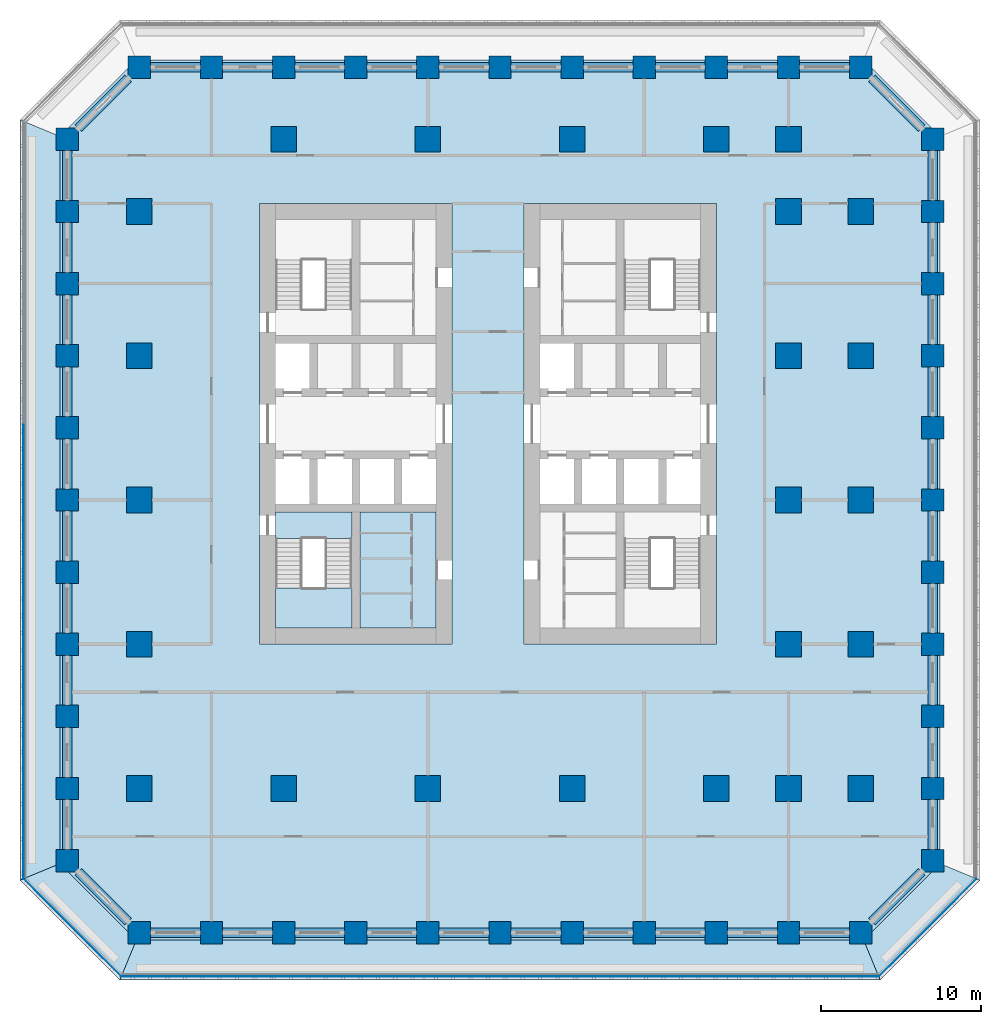
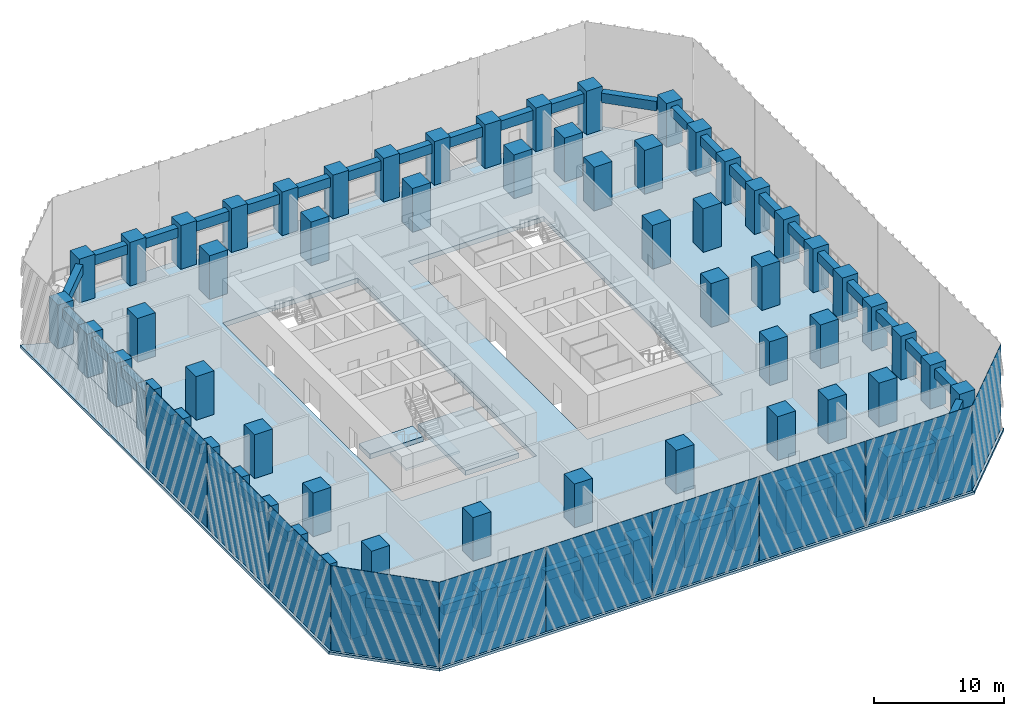
# One storey, part 1 of 14: 68 columns, 44 beams, 10 plates, 8 slabs, 1 element without a shape of its own.
"""IFC4 building model written with IfcOpenShell, lengths in metres."""

from ifc_helpers import new_model, si_unit, direction, frame, origin, origin_2d, place, context, subcontext, project, spatial, polyline, rectangle, outline, extrude, material, layer, layer_set, material_profile, profile_set, type_object, element, aggregate, save


model = new_model("IFC4")

# Units and contexts
model_context = context("Model", 3, precision=1e-05, world=origin(), true_north=direction((0.0, 1.0)))
body_context = subcontext(model_context, "Body", "Model", "MODEL_VIEW")
ifc_project = project(units=[si_unit("LENGTHUNIT", "METRE"), si_unit("AREAUNIT", "SQUARE_METRE"), si_unit("VOLUMEUNIT", "CUBIC_METRE"), si_unit("PLANEANGLEUNIT", "RADIAN"), si_unit("MASSUNIT", "GRAM", prefix="KILO")], contexts=[model_context])

# Site, building, storey
site_placement = place(None, origin())
site = spatial("IfcSite", under=ifc_project, at=site_placement, CompositionType="ELEMENT")
building_placement = place(site_placement, origin())
building = spatial("IfcBuilding", under=site, at=building_placement, Name="Corbel Stack Research Tower", CompositionType="ELEMENT")
storey_placement = place(building_placement, frame((0.0, 0.0, 50.10009765625)))
storey = spatial("IfcBuildingStorey", under=building, at=storey_placement, Name="L11", CompositionType="ELEMENT", Elevation=50.10009765625)

# Columns
ifc_material_1 = material(Name="Concrete C70/85", Category="concrete")
ifc_material_profile_1 = material_profile(ifc_material_1, rectangle(XDim=1.39990234375, YDim=1.39990234375, at=origin_2d()), Name="RC 1400 x 1400")
ifc_profile_set_1 = profile_set([ifc_material_profile_1], Name="Concrete C70/85")
column_type_1 = type_object("IfcColumnType", Name="C-1400-70", PredefinedType="COLUMN", material=ifc_profile_set_1)
for number, where, z_axis, x_axis, name in (
    (1, (-22.5, -22.5, 0.0), (0.0, 0.0, 1.0), (1.0, 0.0, 0.0), "Column 3/C L11"),
    (2, (-22.5, -18.0, 0.0), (0.0, 0.0, 1.0), (1.0, 0.0, 0.0), "Column 3/D L11"),
    (3, (-22.5, -13.5, 0.0), (0.0, 0.0, 1.0), (1.0, 0.0, 0.0), "Column 3/E L11"),
    (4, (-22.5, -9.0, 0.0), (0.0, 0.0, 1.0), (1.0, 0.0, 0.0), "Column 3/F L11"),
    (5, (-22.5, -4.5, 0.0), (0.0, 0.0, 1.0), (1.0, 0.0, 0.0), "Column 3/G L11"),
    (6, (-22.5, 0.0, 0.0), (0.0, 0.0, 1.0), (1.0, 0.0, 0.0), "Column 3/H L11"),
    (7, (-22.5, 4.5, 0.0), (0.0, 0.0, 1.0), (1.0, 0.0, 0.0), "Column 3/J L11"),
    (8, (-22.5, 9.0, 0.0), (0.0, 0.0, 1.0), (1.0, 0.0, 0.0), "Column 3/K L11"),
    (9, (-22.5, 13.5, 0.0), (0.0, 0.0, 1.0), (1.0, 0.0, 0.0), "Column 3/L L11"),
    (10, (-22.5, 18.0, 0.0), (0.0, 0.0, 1.0), (1.0, 0.0, 0.0), "Column 3/M L11"),
    (11, (-22.5, 22.5, 0.0), (0.0, 0.0, 1.0), (1.0, 0.0, 0.0), "Column 3/N L11"),
    (12, (-18.0, -27.0, 0.0), (0.0, 0.0, 1.0), (1.0, 0.0, 0.0), "Column 4/B L11"),
    (13, (-18.0, 27.0, 0.0), (0.0, 0.0, 1.0), (1.0, 0.0, 0.0), "Column 4/P L11"),
    (14, (-13.5, -27.0, 0.0), (0.0, 0.0, 1.0), (1.0, 0.0, 0.0), "Column 5/B L11"),
    (15, (-13.5, 27.0, 0.0), (0.0, 0.0, 1.0), (1.0, 0.0, 0.0), "Column 5/P L11"),
    (16, (-9.0, -27.0, 0.0), (0.0, 0.0, 1.0), (1.0, 0.0, 0.0), "Column 6/B L11"),
    (17, (-9.0, 27.0, 0.0), (0.0, 0.0, 1.0), (1.0, 0.0, 0.0), "Column 6/P L11"),
    (18, (-4.5, -27.0, 0.0), (0.0, 0.0, 1.0), (1.0, 0.0, 0.0), "Column 7/B L11"),
    (19, (-4.5, 27.0, 0.0), (0.0, 0.0, 1.0), (1.0, 0.0, 0.0), "Column 7/P L11"),
    (20, (0.0, -27.0, 0.0), (0.0, 0.0, 1.0), (1.0, 0.0, 0.0), "Column 8/B L11"),
    (21, (0.0, 27.0, 0.0), (0.0, 0.0, 1.0), (1.0, 0.0, 0.0), "Column 8/P L11"),
    (22, (4.5, -27.0, 0.0), (0.0, 0.0, 1.0), (1.0, 0.0, 0.0), "Column 9/B L11"),
    (23, (4.5, 27.0, 0.0), (0.0, 0.0, 1.0), (1.0, 0.0, 0.0), "Column 9/P L11"),
    (24, (9.0, -27.0, 0.0), (0.0, 0.0, 1.0), (1.0, 0.0, 0.0), "Column 10/B L11"),
    (25, (9.0, 27.0, 0.0), (0.0, 0.0, 1.0), (1.0, 0.0, 0.0), "Column 10/P L11"),
    (26, (13.5, -27.0, 0.0), (0.0, 0.0, 1.0), (1.0, 0.0, 0.0), "Column 11/B L11"),
    (27, (13.5, 27.0, 0.0), (0.0, 0.0, 1.0), (1.0, 0.0, 0.0), "Column 11/P L11"),
    (28, (18.0, -27.0, 0.0), (0.0, 0.0, 1.0), (1.0, 0.0, 0.0), "Column 12/B L11"),
    (29, (18.0, 27.0, 0.0), (0.0, 0.0, 1.0), (1.0, 0.0, 0.0), "Column 12/P L11"),
    (30, (22.5, -27.0, 0.0), (0.0, 0.0, 1.0), (1.0, 0.0, 0.0), "Column 13/B L11"),
    (31, (22.5, 27.0, 0.0), (0.0, 0.0, 1.0), (1.0, 0.0, 0.0), "Column 13/P L11"),
    (32, (27.0, -27.0, 0.0), (0.0, 0.0, 1.0), (1.0, 0.0, 0.0), "Column 14/B L11"),
    (33, (27.0, 27.0, 0.0), (0.0, 0.0, 1.0), (1.0, 0.0, 0.0), "Column 14/P L11"),
    (34, (31.5, -22.5, 0.0), (0.0, 0.0, 1.0), (1.0, 0.0, 0.0), "Column 15/C L11"),
    (35, (31.5, -18.0, 0.0), (0.0, 0.0, 1.0), (1.0, 0.0, 0.0), "Column 15/D L11"),
    (36, (31.5, -13.5, 0.0), (0.0, 0.0, 1.0), (1.0, 0.0, 0.0), "Column 15/E L11"),
    (37, (31.5, -9.0, 0.0), (0.0, 0.0, 1.0), (1.0, 0.0, 0.0), "Column 15/F L11"),
    (38, (31.5, -4.5, 0.0), (0.0, 0.0, 1.0), (1.0, 0.0, 0.0), "Column 15/G L11"),
    (39, (31.5, 0.0, 0.0), (0.0, 0.0, 1.0), (1.0, 0.0, 0.0), "Column 15/H L11"),
    (40, (31.5, 4.5, 0.0), (0.0, 0.0, 1.0), (1.0, 0.0, 0.0), "Column 15/J L11"),
    (41, (31.5, 9.0, 0.0), (0.0, 0.0, 1.0), (1.0, 0.0, 0.0), "Column 15/K L11"),
    (42, (31.5, 13.5, 0.0), (0.0, 0.0, 1.0), (1.0, 0.0, 0.0), "Column 15/L L11"),
    (43, (31.5, 18.0, 0.0), (0.0, 0.0, 1.0), (1.0, 0.0, 0.0), "Column 15/M L11"),
    (44, (31.5, 22.5, 0.0), (0.0, 0.0, 1.0), (1.0, 0.0, 0.0), "Column 15/N L11"),
):
    element("IfcColumn", number, at=place(storey_placement, frame(where, z_axis=z_axis, x_axis=x_axis)), inside=storey, type_object=column_type_1, Name=name, PredefinedType="COLUMN", context=body_context, shape_type="SweptSolid", body=[
        extrude(rectangle(XDim=1.39990234375, YDim=1.39990234375, at=origin_2d()), origin(), (0.0, 0.0, 1.0), 4.099853515625),
    ])
ifc_material_2 = material(Name="Concrete C70/85", Category="concrete")
ifc_material_profile_2 = material_profile(ifc_material_2, rectangle(XDim=1.60009765625, YDim=1.60009765625, at=origin_2d()), Name="RC 1600 x 1600")
ifc_profile_set_2 = profile_set([ifc_material_profile_2], Name="Concrete C70/85")
column_type_2 = type_object("IfcColumnType", Name="C-1600-70", PredefinedType="COLUMN", material=ifc_profile_set_2)
for number, where, z_axis, x_axis, name in (
    (45, (-18.0, -18.0, 0.0), (0.0, 0.0, 1.0), (1.0, 0.0, 0.0), "Column 4/D L11"),
    (46, (-18.0, -9.0, 0.0), (0.0, 0.0, 1.0), (1.0, 0.0, 0.0), "Column 4/F L11"),
    (47, (-18.0, 0.0, 0.0), (0.0, 0.0, 1.0), (1.0, 0.0, 0.0), "Column 4/H L11"),
    (48, (-18.0, 9.0, 0.0), (0.0, 0.0, 1.0), (1.0, 0.0, 0.0), "Column 4/K L11"),
    (49, (-18.0, 18.0, 0.0), (0.0, 0.0, 1.0), (1.0, 0.0, 0.0), "Column 4/M L11"),
    (50, (-9.0, -18.0, 0.0), (0.0, 0.0, 1.0), (1.0, 0.0, 0.0), "Column 6/D L11"),
    (51, (-9.0, 22.5, 0.0), (0.0, 0.0, 1.0), (1.0, 0.0, 0.0), "Column 6/N L11"),
    (52, (0.0, -18.0, 0.0), (0.0, 0.0, 1.0), (1.0, 0.0, 0.0), "Column 8/D L11"),
    (53, (0.0, 22.5, 0.0), (0.0, 0.0, 1.0), (1.0, 0.0, 0.0), "Column 8/N L11"),
    (54, (9.0, -18.0, 0.0), (0.0, 0.0, 1.0), (1.0, 0.0, 0.0), "Column 10/D L11"),
    (55, (9.0, 22.5, 0.0), (0.0, 0.0, 1.0), (1.0, 0.0, 0.0), "Column 10/N L11"),
    (56, (18.0, -18.0, 0.0), (0.0, 0.0, 1.0), (1.0, 0.0, 0.0), "Column 12/D L11"),
    (57, (18.0, 22.5, 0.0), (0.0, 0.0, 1.0), (1.0, 0.0, 0.0), "Column 12/N L11"),
    (58, (22.5, -18.0, 0.0), (0.0, 0.0, 1.0), (1.0, 0.0, 0.0), "Column 13/D L11"),
    (59, (22.5, -9.0, 0.0), (0.0, 0.0, 1.0), (1.0, 0.0, 0.0), "Column 13/F L11"),
    (60, (22.5, 0.0, 0.0), (0.0, 0.0, 1.0), (1.0, 0.0, 0.0), "Column 13/H L11"),
    (61, (22.5, 9.0, 0.0), (0.0, 0.0, 1.0), (1.0, 0.0, 0.0), "Column 13/K L11"),
    (62, (22.5, 18.0, 0.0), (0.0, 0.0, 1.0), (1.0, 0.0, 0.0), "Column 13/M L11"),
    (63, (22.5, 22.5, 0.0), (0.0, 0.0, 1.0), (1.0, 0.0, 0.0), "Column 13/N L11"),
    (64, (27.0, -18.0, 0.0), (0.0, 0.0, 1.0), (1.0, 0.0, 0.0), "Column 14/D L11"),
    (65, (27.0, -9.0, 0.0), (0.0, 0.0, 1.0), (1.0, 0.0, 0.0), "Column 14/F L11"),
    (66, (27.0, 0.0, 0.0), (0.0, 0.0, 1.0), (1.0, 0.0, 0.0), "Column 14/H L11"),
    (67, (27.0, 9.0, 0.0), (0.0, 0.0, 1.0), (1.0, 0.0, 0.0), "Column 14/K L11"),
    (68, (27.0, 18.0, 0.0), (0.0, 0.0, 1.0), (1.0, 0.0, 0.0), "Column 14/M L11"),
):
    element("IfcColumn", number, at=place(storey_placement, frame(where, z_axis=z_axis, x_axis=x_axis)), inside=storey, type_object=column_type_2, Name=name, PredefinedType="COLUMN", context=body_context, shape_type="SweptSolid", body=[
        extrude(rectangle(XDim=1.60009765625, YDim=1.60009765625, at=origin_2d()), origin(), (0.0, 0.0, 1.0), 4.099853515625),
    ])

# Beams
ifc_material_3 = material(Name="Concrete C60/75", Category="concrete")
ifc_material_profile_3 = material_profile(ifc_material_3, rectangle(XDim=0.60009765625, YDim=0.89990234375, at=origin_2d()), Name="RC 600 x 900")
ifc_profile_set_3 = profile_set([ifc_material_profile_3], Name="Concrete C60/75")
beam_type = type_object("IfcBeamType", Name="SB-600-900-450", PredefinedType="SPANDREL", material=ifc_profile_set_3)
for number, where, z_axis, x_axis, name in (
    (69, (-17.300048828125, -27.0, 3.199951171875), (1.0, 0.0, 0.0), (0.0, 1.0, 0.0), "Spandrel beam L11-01"),
    (70, (-12.800048828125, -27.0, 3.199951171875), (1.0, 0.0, 0.0), (0.0, 1.0, 0.0), "Spandrel beam L11-02"),
    (71, (-8.300048828125, -27.0, 3.199951171875), (1.0, 0.0, 0.0), (0.0, 1.0, 0.0), "Spandrel beam L11-03"),
    (72, (-3.800048828125, -27.0, 3.199951171875), (1.0, 0.0, 0.0), (0.0, 1.0, 0.0), "Spandrel beam L11-04"),
    (73, (0.699951171875, -27.0, 3.199951171875), (1.0, 0.0, 0.0), (0.0, 1.0, 0.0), "Spandrel beam L11-05"),
    (74, (5.199951171875, -27.0, 3.199951171875), (1.0, 0.0, 0.0), (0.0, 1.0, 0.0), "Spandrel beam L11-06"),
    (75, (9.699951171875, -27.0, 3.199951171875), (1.0, 0.0, 0.0), (0.0, 1.0, 0.0), "Spandrel beam L11-07"),
    (76, (14.199951171875, -27.0, 3.199951171875), (1.0, 0.0, 0.0), (0.0, 1.0, 0.0), "Spandrel beam L11-08"),
    (77, (18.699951171875, -27.0, 3.199951171875), (1.0, 0.0, 0.0), (0.0, 1.0, 0.0), "Spandrel beam L11-09"),
    (78, (23.199951171875, -27.0, 3.199951171875), (1.0, 0.0, 0.0), (0.0, 1.0, 0.0), "Spandrel beam L11-10"),
):
    element("IfcBeam", number, at=place(storey_placement, frame(where, z_axis=z_axis, x_axis=x_axis)), inside=storey, type_object=beam_type, Name=name, PredefinedType="SPANDREL", context=body_context, shape_type="SweptSolid", body=[
        extrude(rectangle(XDim=0.60009765625, YDim=0.89990234375, at=origin_2d()), origin(), (0.0, 0.0, 1.0), 3.10009765625),
    ])
beam_1_placement = place(storey_placement, frame((27.699951171875, -26.300048828125, 3.199951171875), z_axis=(0.707106781187, 0.707106781187, 0.0), x_axis=(-0.707106781187, 0.707106781187, 0.0)))
element("IfcBeam", 79, at=beam_1_placement, inside=storey, type_object=beam_type, Name="Spandrel beam L11-11", PredefinedType="SPANDREL", context=body_context, shape_type="SweptSolid", body=[
    extrude(rectangle(XDim=0.60009765625, YDim=0.89990234375, at=origin_2d()), origin(), (0.0, 0.0, 1.0), 4.38427734375),
])
for number, where, z_axis, x_axis, name in (
    (80, (31.5, -21.800048828125, 3.199951171875), (0.0, 1.0, 0.0), (-1.0, 0.0, 0.0), "Spandrel beam L11-12"),
    (81, (31.5, -17.300048828125, 3.199951171875), (0.0, 1.0, 0.0), (-1.0, 0.0, 0.0), "Spandrel beam L11-13"),
    (82, (31.5, -12.800048828125, 3.199951171875), (0.0, 1.0, 0.0), (-1.0, 0.0, 0.0), "Spandrel beam L11-14"),
    (83, (31.5, -8.300048828125, 3.199951171875), (0.0, 1.0, 0.0), (-1.0, 0.0, 0.0), "Spandrel beam L11-15"),
    (84, (31.5, -3.800048828125, 3.199951171875), (0.0, 1.0, 0.0), (-1.0, 0.0, 0.0), "Spandrel beam L11-16"),
    (85, (31.5, 0.699951171875, 3.199951171875), (0.0, 1.0, 0.0), (-1.0, 0.0, 0.0), "Spandrel beam L11-17"),
    (86, (31.5, 5.199951171875, 3.199951171875), (0.0, 1.0, 0.0), (-1.0, 0.0, 0.0), "Spandrel beam L11-18"),
    (87, (31.5, 9.699951171875, 3.199951171875), (0.0, 1.0, 0.0), (-1.0, 0.0, 0.0), "Spandrel beam L11-19"),
    (88, (31.5, 14.199951171875, 3.199951171875), (0.0, 1.0, 0.0), (-1.0, 0.0, 0.0), "Spandrel beam L11-20"),
    (89, (31.5, 18.699951171875, 3.199951171875), (0.0, 1.0, 0.0), (-1.0, 0.0, 0.0), "Spandrel beam L11-21"),
):
    element("IfcBeam", number, at=place(storey_placement, frame(where, z_axis=z_axis, x_axis=x_axis)), inside=storey, type_object=beam_type, Name=name, PredefinedType="SPANDREL", context=body_context, shape_type="SweptSolid", body=[
        extrude(rectangle(XDim=0.60009765625, YDim=0.89990234375, at=origin_2d()), origin(), (0.0, 0.0, 1.0), 3.10009765625),
    ])
beam_2_placement = place(storey_placement, frame((30.800048828125, 23.199951171875, 3.199951171875), z_axis=(-0.707106781187, 0.707106781187, 0.0), x_axis=(-0.707106781187, -0.707106781187, 0.0)))
element("IfcBeam", 90, at=beam_2_placement, inside=storey, type_object=beam_type, Name="Spandrel beam L11-22", PredefinedType="SPANDREL", context=body_context, shape_type="SweptSolid", body=[
    extrude(rectangle(XDim=0.60009765625, YDim=0.89990234375, at=origin_2d()), origin(), (0.0, 0.0, 1.0), 4.38427734375),
])
for number, where, z_axis, x_axis, name in (
    (91, (26.300048828125, 27.0, 3.199951171875), (-1.0, 0.0, 0.0), (0.0, -1.0, 0.0), "Spandrel beam L11-23"),
    (92, (21.800048828125, 27.0, 3.199951171875), (-1.0, 0.0, 0.0), (0.0, -1.0, 0.0), "Spandrel beam L11-24"),
    (93, (17.300048828125, 27.0, 3.199951171875), (-1.0, 0.0, 0.0), (0.0, -1.0, 0.0), "Spandrel beam L11-25"),
    (94, (12.800048828125, 27.0, 3.199951171875), (-1.0, 0.0, 0.0), (0.0, -1.0, 0.0), "Spandrel beam L11-26"),
    (95, (8.300048828125, 27.0, 3.199951171875), (-1.0, 0.0, 0.0), (0.0, -1.0, 0.0), "Spandrel beam L11-27"),
    (96, (3.800048828125, 27.0, 3.199951171875), (-1.0, 0.0, 0.0), (0.0, -1.0, 0.0), "Spandrel beam L11-28"),
    (97, (-0.699951171875, 27.0, 3.199951171875), (-1.0, 0.0, 0.0), (0.0, -1.0, 0.0), "Spandrel beam L11-29"),
    (98, (-5.199951171875, 27.0, 3.199951171875), (-1.0, 0.0, 0.0), (0.0, -1.0, 0.0), "Spandrel beam L11-30"),
    (99, (-9.699951171875, 27.0, 3.199951171875), (-1.0, 0.0, 0.0), (0.0, -1.0, 0.0), "Spandrel beam L11-31"),
    (100, (-14.199951171875, 27.0, 3.199951171875), (-1.0, 0.0, 0.0), (0.0, -1.0, 0.0), "Spandrel beam L11-32"),
):
    element("IfcBeam", number, at=place(storey_placement, frame(where, z_axis=z_axis, x_axis=x_axis)), inside=storey, type_object=beam_type, Name=name, PredefinedType="SPANDREL", context=body_context, shape_type="SweptSolid", body=[
        extrude(rectangle(XDim=0.60009765625, YDim=0.89990234375, at=origin_2d()), origin(), (0.0, 0.0, 1.0), 3.10009765625),
    ])
beam_3_placement = place(storey_placement, frame((-18.699951171875, 26.300048828125, 3.199951171875), z_axis=(-0.707106781187, -0.707106781187, 0.0), x_axis=(0.707106781187, -0.707106781187, 0.0)))
element("IfcBeam", 101, at=beam_3_placement, inside=storey, type_object=beam_type, Name="Spandrel beam L11-33", PredefinedType="SPANDREL", context=body_context, shape_type="SweptSolid", body=[
    extrude(rectangle(XDim=0.60009765625, YDim=0.89990234375, at=origin_2d()), origin(), (0.0, 0.0, 1.0), 4.38427734375),
])
for number, where, z_axis, x_axis, name in (
    (102, (-22.5, 21.800048828125, 3.199951171875), (0.0, -1.0, 0.0), (1.0, 0.0, 0.0), "Spandrel beam L11-34"),
    (103, (-22.5, 17.300048828125, 3.199951171875), (0.0, -1.0, 0.0), (1.0, 0.0, 0.0), "Spandrel beam L11-35"),
    (104, (-22.5, 12.800048828125, 3.199951171875), (0.0, -1.0, 0.0), (1.0, 0.0, 0.0), "Spandrel beam L11-36"),
    (105, (-22.5, 8.300048828125, 3.199951171875), (0.0, -1.0, 0.0), (1.0, 0.0, 0.0), "Spandrel beam L11-37"),
    (106, (-22.5, 3.800048828125, 3.199951171875), (0.0, -1.0, 0.0), (1.0, 0.0, 0.0), "Spandrel beam L11-38"),
    (107, (-22.5, -0.699951171875, 3.199951171875), (0.0, -1.0, 0.0), (1.0, 0.0, 0.0), "Spandrel beam L11-39"),
    (108, (-22.5, -5.199951171875, 3.199951171875), (0.0, -1.0, 0.0), (1.0, 0.0, 0.0), "Spandrel beam L11-40"),
    (109, (-22.5, -9.699951171875, 3.199951171875), (0.0, -1.0, 0.0), (1.0, 0.0, 0.0), "Spandrel beam L11-41"),
    (110, (-22.5, -14.199951171875, 3.199951171875), (0.0, -1.0, 0.0), (1.0, 0.0, 0.0), "Spandrel beam L11-42"),
    (111, (-22.5, -18.699951171875, 3.199951171875), (0.0, -1.0, 0.0), (1.0, 0.0, 0.0), "Spandrel beam L11-43"),
):
    element("IfcBeam", number, at=place(storey_placement, frame(where, z_axis=z_axis, x_axis=x_axis)), inside=storey, type_object=beam_type, Name=name, PredefinedType="SPANDREL", context=body_context, shape_type="SweptSolid", body=[
        extrude(rectangle(XDim=0.60009765625, YDim=0.89990234375, at=origin_2d()), origin(), (0.0, 0.0, 1.0), 3.10009765625),
    ])
beam_4_placement = place(storey_placement, frame((-21.800048828125, -23.199951171875, 3.199951171875), z_axis=(0.707106781187, -0.707106781187, 0.0), x_axis=(0.707106781187, 0.707106781187, 0.0)))
element("IfcBeam", 112, at=beam_4_placement, inside=storey, type_object=beam_type, Name="Spandrel beam L11-44", PredefinedType="SPANDREL", context=body_context, shape_type="SweptSolid", body=[
    extrude(rectangle(XDim=0.60009765625, YDim=0.89990234375, at=origin_2d()), origin(), (0.0, 0.0, 1.0), 4.38427734375),
])

# Plates
ifc_material_4 = material(Name="Fritted glass", Category="glass")
ifc_layer_1 = layer(ifc_material_4, 0.02490234375)
ifc_layer_set_1 = layer_set([ifc_layer_1], Name="Fritted glass")
plate_type = type_object("IfcPlateType", Name="Fritted glass panel 25", PredefinedType="SHEET", material=ifc_layer_set_1)
for number, where, z_axis, x_axis, name in (
    (113, (-14.411376953125, -29.737548828125, 0.0), (0.0, 0.0, 1.0), (1.0, 0.0, 0.0), "Fritted glass L11 S1"),
    (114, (-4.95556640625, -29.737548828125, 0.0), (0.0, 0.0, 1.0), (1.0, 0.0, 0.0), "Fritted glass L11 S2"),
    (115, (4.5, -29.737548828125, 0.0), (0.0, 0.0, 1.0), (1.0, 0.0, 0.0), "Fritted glass L11 S3"),
    (116, (13.95556640625, -29.737548828125, 0.0), (0.0, 0.0, 1.0), (1.0, 0.0, 0.0), "Fritted glass L11 S4"),
    (117, (23.411376953125, -29.737548828125, 0.0), (0.0, 0.0, 1.0), (1.0, 0.0, 0.0), "Fritted glass L11 S5"),
):
    element("IfcPlate", number, at=place(storey_placement, frame(where, z_axis=z_axis, x_axis=x_axis)), inside=storey, type_object=plate_type, Name=name, PredefinedType="SHEET", context=body_context, shape_type="SweptSolid", body=[
        extrude(rectangle(XDim=9.3955078125, YDim=0.02490234375, at=origin_2d()), origin(), (0.0, 0.0, 1.0), 7.949951171875),
    ])
plate_1_placement = place(storey_placement, frame((31.185791015625, -26.685791015625, 0.0), z_axis=(0.0, 0.0, 1.0), x_axis=(0.707106781187, 0.707106781187, 0.0)))
element("IfcPlate", 118, at=plate_1_placement, inside=storey, type_object=plate_type, Name="Fritted glass L11 SE1", PredefinedType="SHEET", context=body_context, shape_type="SweptSolid", body=[
    extrude(rectangle(XDim=8.58203125, YDim=0.02490234375, at=origin_2d()), origin(), (0.0, 0.0, 1.0), 7.949951171875),
])
for number, where, z_axis, x_axis, name in (
    (119, (-25.237548828125, 0.0, 0.0), (0.0, 0.0, 1.0), (0.0, -1.0, 0.0), "Fritted glass L11 W3"),
    (120, (-25.237548828125, -9.45556640625, 0.0), (0.0, 0.0, 1.0), (0.0, -1.0, 0.0), "Fritted glass L11 W4"),
    (121, (-25.237548828125, -18.911376953125, 0.0), (0.0, 0.0, 1.0), (0.0, -1.0, 0.0), "Fritted glass L11 W5"),
):
    element("IfcPlate", number, at=place(storey_placement, frame(where, z_axis=z_axis, x_axis=x_axis)), inside=storey, type_object=plate_type, Name=name, PredefinedType="SHEET", context=body_context, shape_type="SweptSolid", body=[
        extrude(rectangle(XDim=9.3955078125, YDim=0.02490234375, at=origin_2d()), origin(), (0.0, 0.0, 1.0), 7.949951171875),
    ])
plate_2_placement = place(storey_placement, frame((-22.185791015625, -26.685791015625, 0.0), z_axis=(0.0, 0.0, 1.0), x_axis=(0.707106781187, -0.707106781187, 0.0)))
element("IfcPlate", 122, at=plate_2_placement, inside=storey, type_object=plate_type, Name="Fritted glass L11 SW1", PredefinedType="SHEET", context=body_context, shape_type="SweptSolid", body=[
    extrude(rectangle(XDim=8.58203125, YDim=0.02490234375, at=origin_2d()), origin(), (0.0, 0.0, 1.0), 7.949951171875),
])

# Slabs
ifc_material_5 = material(Name="Concrete C45/55", Category="concrete")
ifc_layer_2 = layer(ifc_material_5, 0.25)
ifc_layer_set_2 = layer_set([ifc_layer_2], Name="Concrete C45/55")
slab_type_1 = type_object("IfcSlabType", Name="PT balcony slab 250 C45/55", PredefinedType="FLOOR", material=ifc_layer_set_2)
slab_1_placement = place(storey_placement, frame((0.0, 0.0, -0.25)))
element("IfcSlab", 123, at=slab_1_placement, inside=storey, type_object=slab_type_1, Name="Loggia slab L11 S", PredefinedType="FLOOR", context=body_context, shape_type="SweptSolid", body=[
    extrude(outline(polyline([(27.289794921875, -27.699951171875), (26.300048828125, -27.699951171875), (26.300048828125, -27.449951171875), (23.199951171875, -27.449951171875), (23.199951171875, -27.699951171875), (21.800048828125, -27.699951171875), (21.800048828125, -27.449951171875), (18.699951171875, -27.449951171875), (18.699951171875, -27.699951171875), (17.300048828125, -27.699951171875), (17.300048828125, -27.449951171875), (14.199951171875, -27.449951171875), (14.199951171875, -27.699951171875), (12.800048828125, -27.699951171875), (12.800048828125, -27.449951171875), (9.699951171875, -27.449951171875), (9.699951171875, -27.699951171875), (8.300048828125, -27.699951171875), (8.300048828125, -27.449951171875), (5.199951171875, -27.449951171875), (5.199951171875, -27.699951171875), (3.800048828125, -27.699951171875), (3.800048828125, -27.449951171875), (0.699951171875, -27.449951171875), (0.699951171875, -27.699951171875), (-0.699951171875, -27.699951171875), (-0.699951171875, -27.449951171875), (-3.800048828125, -27.449951171875), (-3.800048828125, -27.699951171875), (-5.199951171875, -27.699951171875), (-5.199951171875, -27.449951171875), (-8.300048828125, -27.449951171875), (-8.300048828125, -27.699951171875), (-9.699951171875, -27.699951171875), (-9.699951171875, -27.449951171875), (-12.800048828125, -27.449951171875), (-12.800048828125, -27.699951171875), (-14.199951171875, -27.699951171875), (-14.199951171875, -27.449951171875), (-17.300048828125, -27.449951171875), (-17.300048828125, -27.699951171875), (-18.289794921875, -27.699951171875), (-19.221923828125, -29.949951171875), (28.221923828125, -29.949951171875), (27.289794921875, -27.699951171875)])), origin(), (0.0, 0.0, 1.0), 0.25),
])
slab_2_placement = place(storey_placement, frame((0.0, 0.0, -0.25)))
element("IfcSlab", 124, at=slab_2_placement, inside=storey, type_object=slab_type_1, Name="Loggia slab L11 SE", PredefinedType="FLOOR", context=body_context, shape_type="SweptSolid", body=[
    extrude(outline(polyline([(32.199951171875, -22.789794921875), (32.199951171875, -23.199951171875), (31.436279296875, -23.199951171875), (27.699951171875, -26.936279296875), (27.699951171875, -27.699951171875), (27.289794921875, -27.699951171875), (28.221923828125, -29.949951171875), (34.449951171875, -23.721923828125), (32.199951171875, -22.789794921875)])), origin(), (0.0, 0.0, 1.0), 0.25),
])
slab_3_placement = place(storey_placement, frame((0.0, 0.0, -0.25)))
element("IfcSlab", 125, at=slab_3_placement, inside=storey, type_object=slab_type_1, Name="Loggia slab L11 W", PredefinedType="FLOOR", context=body_context, shape_type="SweptSolid", body=[
    extrude(outline(polyline([(-23.199951171875, -22.789794921875), (-23.199951171875, -21.800048828125), (-22.949951171875, -21.800048828125), (-22.949951171875, -18.699951171875), (-23.199951171875, -18.699951171875), (-23.199951171875, -17.300048828125), (-22.949951171875, -17.300048828125), (-22.949951171875, -14.199951171875), (-23.199951171875, -14.199951171875), (-23.199951171875, -12.800048828125), (-22.949951171875, -12.800048828125), (-22.949951171875, -9.699951171875), (-23.199951171875, -9.699951171875), (-23.199951171875, -8.300048828125), (-22.949951171875, -8.300048828125), (-22.949951171875, -5.199951171875), (-23.199951171875, -5.199951171875), (-23.199951171875, -3.800048828125), (-22.949951171875, -3.800048828125), (-22.949951171875, -0.699951171875), (-23.199951171875, -0.699951171875), (-23.199951171875, 0.699951171875), (-22.949951171875, 0.699951171875), (-22.949951171875, 3.800048828125), (-23.199951171875, 3.800048828125), (-23.199951171875, 5.199951171875), (-22.949951171875, 5.199951171875), (-22.949951171875, 8.300048828125), (-23.199951171875, 8.300048828125), (-23.199951171875, 9.699951171875), (-22.949951171875, 9.699951171875), (-22.949951171875, 12.800048828125), (-23.199951171875, 12.800048828125), (-23.199951171875, 14.199951171875), (-22.949951171875, 14.199951171875), (-22.949951171875, 17.300048828125), (-23.199951171875, 17.300048828125), (-23.199951171875, 18.699951171875), (-22.949951171875, 18.699951171875), (-22.949951171875, 21.800048828125), (-23.199951171875, 21.800048828125), (-23.199951171875, 22.789794921875), (-25.449951171875, 23.721923828125), (-25.449951171875, -23.721923828125), (-23.199951171875, -22.789794921875)])), origin(), (0.0, 0.0, 1.0), 0.25),
])
slab_4_placement = place(storey_placement, frame((0.0, 0.0, -0.25)))
element("IfcSlab", 126, at=slab_4_placement, inside=storey, type_object=slab_type_1, Name="Loggia slab L11 SW", PredefinedType="FLOOR", context=body_context, shape_type="SweptSolid", body=[
    extrude(outline(polyline([(-18.289794921875, -27.699951171875), (-18.699951171875, -27.699951171875), (-18.699951171875, -26.936279296875), (-22.436279296875, -23.199951171875), (-23.199951171875, -23.199951171875), (-23.199951171875, -22.789794921875), (-25.449951171875, -23.721923828125), (-19.221923828125, -29.949951171875), (-18.289794921875, -27.699951171875)])), origin(), (0.0, 0.0, 1.0), 0.25),
])
ifc_material_6 = material(Name="Concrete C45/55", Category="concrete")
ifc_layer_3 = layer(ifc_material_6, 0.449951171875)
ifc_layer_set_3 = layer_set([ifc_layer_3], Name="Concrete C45/55")
slab_type_2 = type_object("IfcSlabType", Name="PT-450", PredefinedType="FLOOR", material=ifc_layer_set_3)
slab_5_placement = place(storey_placement, frame((0.0, 0.0, -0.4501953125)))
element("IfcSlab", 127, at=slab_5_placement, inside=storey, type_object=slab_type_2, Name="Floor slab L11", PredefinedType="FLOOR", context=body_context, shape_type="SweptSolid", body=[
    extrude(outline(polyline([(-18.186279296875, -27.449951171875), (27.186279296875, -27.449951171875), (31.949951171875, -22.686279296875), (31.949951171875, 22.686279296875), (27.186279296875, 27.449951171875), (-18.186279296875, 27.449951171875), (-22.949951171875, 22.686279296875), (-22.949951171875, -22.686279296875), (-18.186279296875, -27.449951171875)]), holes=[polyline([(26.199951171875, 17.199951171875), (26.199951171875, 18.800048828125), (27.800048828125, 18.800048828125), (27.800048828125, 17.199951171875), (26.199951171875, 17.199951171875)]), polyline([(26.199951171875, 8.199951171875), (26.199951171875, 9.800048828125), (27.800048828125, 9.800048828125), (27.800048828125, 8.199951171875), (26.199951171875, 8.199951171875)]), polyline([(27.800048828125, -0.800048828125), (26.199951171875, -0.800048828125), (26.199951171875, 0.800048828125), (27.800048828125, 0.800048828125), (27.800048828125, -0.800048828125)]), polyline([(26.199951171875, -9.800048828125), (26.199951171875, -8.199951171875), (27.800048828125, -8.199951171875), (27.800048828125, -9.800048828125), (26.199951171875, -9.800048828125)]), polyline([(26.199951171875, -18.800048828125), (26.199951171875, -17.199951171875), (27.800048828125, -17.199951171875), (27.800048828125, -18.800048828125), (26.199951171875, -18.800048828125)]), polyline([(21.699951171875, 21.699951171875), (21.699951171875, 23.300048828125), (23.300048828125, 23.300048828125), (23.300048828125, 21.699951171875), (21.699951171875, 21.699951171875)]), polyline([(21.699951171875, 17.199951171875), (21.699951171875, 18.800048828125), (23.300048828125, 18.800048828125), (23.300048828125, 17.199951171875), (21.699951171875, 17.199951171875)]), polyline([(21.699951171875, 8.199951171875), (21.699951171875, 9.800048828125), (23.300048828125, 9.800048828125), (23.300048828125, 8.199951171875), (21.699951171875, 8.199951171875)]), polyline([(21.699951171875, -0.800048828125), (21.699951171875, 0.800048828125), (23.300048828125, 0.800048828125), (23.300048828125, -0.800048828125), (21.699951171875, -0.800048828125)]), polyline([(23.300048828125, -9.800048828125), (21.699951171875, -9.800048828125), (21.699951171875, -8.199951171875), (23.300048828125, -8.199951171875), (23.300048828125, -9.800048828125)]), polyline([(21.699951171875, -18.800048828125), (21.699951171875, -17.199951171875), (23.300048828125, -17.199951171875), (23.300048828125, -18.800048828125), (21.699951171875, -18.800048828125)]), polyline([(17.199951171875, 21.699951171875), (17.199951171875, 23.300048828125), (18.800048828125, 23.300048828125), (18.800048828125, 21.699951171875), (17.199951171875, 21.699951171875)]), polyline([(18.800048828125, -18.800048828125), (17.199951171875, -18.800048828125), (17.199951171875, -17.199951171875), (18.800048828125, -17.199951171875), (18.800048828125, -18.800048828125)]), polyline([(6.0, -9.0), (6.0, 18.5), (18.0, 18.5), (18.0, -9.0), (6.0, -9.0)]), polyline([(8.199951171875, 21.699951171875), (8.199951171875, 23.300048828125), (9.800048828125, 23.300048828125), (9.800048828125, 21.699951171875), (8.199951171875, 21.699951171875)]), polyline([(9.800048828125, -18.800048828125), (8.199951171875, -18.800048828125), (8.199951171875, -17.199951171875), (9.800048828125, -17.199951171875), (9.800048828125, -18.800048828125)]), polyline([(1.5, -9.0), (-10.5, -9.0), (-10.5, 18.5), (1.5, 18.5), (1.5, -9.0)]), polyline([(-0.800048828125, 21.699951171875), (-0.800048828125, 23.300048828125), (0.800048828125, 23.300048828125), (0.800048828125, 21.699951171875), (-0.800048828125, 21.699951171875)]), polyline([(-0.800048828125, -18.800048828125), (-0.800048828125, -17.199951171875), (0.800048828125, -17.199951171875), (0.800048828125, -18.800048828125), (-0.800048828125, -18.800048828125)]), polyline([(-9.800048828125, 21.699951171875), (-9.800048828125, 23.300048828125), (-8.199951171875, 23.300048828125), (-8.199951171875, 21.699951171875), (-9.800048828125, 21.699951171875)]), polyline([(-9.800048828125, -18.800048828125), (-9.800048828125, -17.199951171875), (-8.199951171875, -17.199951171875), (-8.199951171875, -18.800048828125), (-9.800048828125, -18.800048828125)]), polyline([(-18.800048828125, 17.199951171875), (-18.800048828125, 18.800048828125), (-17.199951171875, 18.800048828125), (-17.199951171875, 17.199951171875), (-18.800048828125, 17.199951171875)]), polyline([(-18.800048828125, 8.199951171875), (-18.800048828125, 9.800048828125), (-17.199951171875, 9.800048828125), (-17.199951171875, 8.199951171875), (-18.800048828125, 8.199951171875)]), polyline([(-18.800048828125, -0.800048828125), (-18.800048828125, 0.800048828125), (-17.199951171875, 0.800048828125), (-17.199951171875, -0.800048828125), (-18.800048828125, -0.800048828125)]), polyline([(-18.800048828125, -9.800048828125), (-18.800048828125, -8.199951171875), (-17.199951171875, -8.199951171875), (-17.199951171875, -9.800048828125), (-18.800048828125, -9.800048828125)]), polyline([(-17.199951171875, -18.800048828125), (-18.800048828125, -18.800048828125), (-18.800048828125, -17.199951171875), (-17.199951171875, -17.199951171875), (-17.199951171875, -18.800048828125)])]), origin(), (0.0, 0.0, 1.0), 0.4501953125),
])
slab_6_placement = place(storey_placement, frame((0.0, 0.0, -0.4501953125)))
element("IfcSlab", 128, at=slab_6_placement, inside=storey, type_object=slab_type_2, Name="West core floor L11", PredefinedType="FLOOR", context=body_context, shape_type="SweptSolid", body=[
    extrude(outline(polyline([(-4.25, -0.75), (-4.25, -8.0), (0.5, -8.0), (0.5, -0.75), (-4.25, -0.75)])), origin(), (0.0, 0.0, 1.0), 0.4501953125),
])
slab_7_placement = place(storey_placement, frame((0.0, 0.0, -0.4501953125)))
element("IfcSlab", 129, at=slab_7_placement, inside=storey, type_object=slab_type_2, Name="Stair floor landing ST-W1", PredefinedType="FLOOR", context=body_context, shape_type="SweptSolid", body=[
    extrude(outline(polyline([(-9.5, -2.39990234375), (-4.75, -2.39990234375), (-4.75, -0.75), (-9.5, -0.75), (-9.5, -2.39990234375)])), origin(), (0.0, 0.0, 1.0), 0.4501953125),
])

# Stair, slab
ifc_material_7 = material(Name="Concrete C40/50", Category="concrete")
stair_type = type_object("IfcStairType", Name="Exit stair 24 risers", PredefinedType="HALF_TURN_STAIR", material=ifc_material_7)
stair_placement = place(storey_placement, origin())
stair = element("IfcStair", 130, at=stair_placement, inside=storey, type_object=stair_type, Name="L11 Exit stair ST-W1", PredefinedType="HALF_TURN_STAIR")
ifc_material_8 = material(Name="Concrete C40/50", Category="concrete")
ifc_layer_4 = layer(ifc_material_8, 0.199951171875)
ifc_layer_set_4 = layer_set([ifc_layer_4], Name="Concrete C40/50")
slab_type_3 = type_object("IfcSlabType", Name="Stair landing 200 C40/50", PredefinedType="LANDING", material=ifc_layer_set_4)
slab_8_placement = place(storey_placement, frame((0.0, 0.0, 1.849853515625)))
slab_8 = element("IfcSlab", 131, at=slab_8_placement, type_object=slab_type_3, Name="ST-W1 landing 1", PredefinedType="LANDING", context=body_context, shape_type="SweptSolid", body=[
    extrude(outline(polyline([(-9.5, -8.0), (-9.5, -5.47998046875), (-4.75, -5.47998046875), (-4.75, -8.0), (-9.5, -8.0)])), origin(), (0.0, 0.0, 1.0), 0.199951171875),
])
aggregate(stair, [slab_8])

save(model, "model.ifc")
